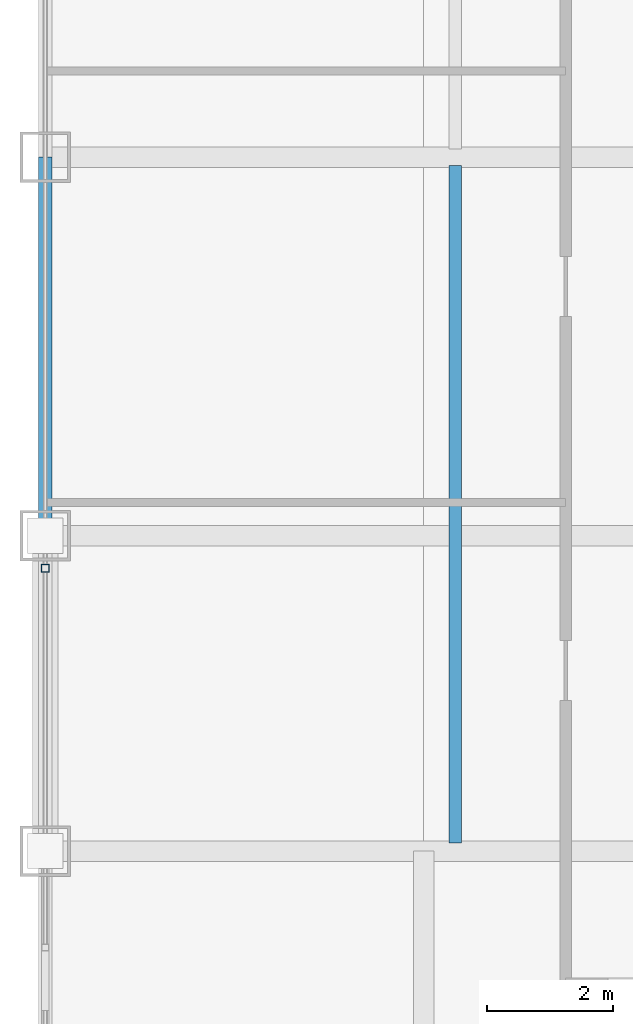
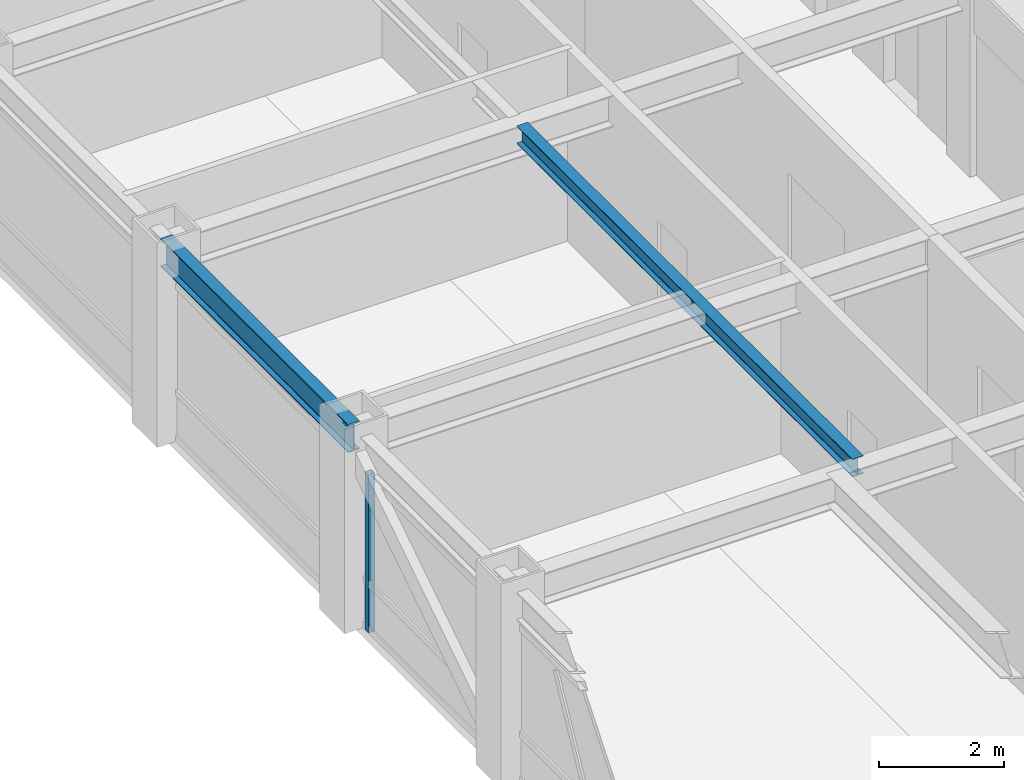
# One storey, part 7 of 29: 2 beams, 1 member, 1 element without a shape of its own.
"""IFC4 building model written with IfcOpenShell, lengths in metres."""

from ifc_helpers import new_model, si_unit, direction, frame, origin, origin_2d, place, context, subcontext, project, spatial, hollow_rectangle, i_section, extrude, source, transform, mapped, material, material_profile, profile_set, type_object, element, aggregate, save


model = new_model("IFC4")

# Units and contexts
model_context = context("Model", 3, precision=1e-05, world=origin(), true_north=direction((0.0, 1.0)))
body_context = subcontext(model_context, "Body", "Model", "MODEL_VIEW")
ifc_project = project(units=[si_unit("LENGTHUNIT", "METRE"), si_unit("AREAUNIT", "SQUARE_METRE"), si_unit("VOLUMEUNIT", "CUBIC_METRE"), si_unit("PLANEANGLEUNIT", "RADIAN"), si_unit("MASSUNIT", "GRAM", prefix="KILO")], contexts=[model_context])

# Site, building, storey
site_placement = place(None, origin())
site = spatial("IfcSite", under=ifc_project, at=site_placement, CompositionType="ELEMENT")
building_placement = place(site_placement, origin())
building = spatial("IfcBuilding", under=site, at=building_placement, Name="Khorayat Bourse Tower", CompositionType="ELEMENT")
storey_placement = place(building_placement, frame((0.0, 0.0, 350.300048828125)))
storey = spatial("IfcBuildingStorey", under=building, at=storey_placement, Name="L83", CompositionType="ELEMENT", Elevation=350.300048828125)

# Beams
ifc_material_1 = material(Name="Steel ASTM A992 Grade 50", Category="steel")
ifc_material_profile_1 = material_profile(ifc_material_1, i_section(OverallWidth=0.202880859375, OverallDepth=0.346923828125, WebThickness=0.0078125, FlangeThickness=0.013427734375, FilletRadius=0.010009765625, at=origin_2d()), Name="W360X64")
ifc_profile_set_1 = profile_set([ifc_material_profile_1], Name="Steel ASTM A992 Grade 50")
beam_type_1 = type_object("IfcBeamType", Name="BM-JOIST-360", PredefinedType="JOIST", material=ifc_profile_set_1)
shared_shape_1 = source(origin(), body_context, "Body", "SweptSolid", [
    extrude(i_section(OverallWidth=0.202880859375, OverallDepth=0.346923828125, WebThickness=0.0078125, FlangeThickness=0.013427734375, FilletRadius=0.010009765625, at=origin_2d()), origin(), (0.0, 0.0, 1.0), 10.740234375),
])
beam_1_placement = place(storey_placement, frame((-19.5, -10.8701171875, 3.56640625), z_axis=(0.0, 1.0, 0.0), x_axis=(-1.0, 0.0, 0.0)))
element("IfcBeam", 1, at=beam_1_placement, inside=storey, type_object=beam_type_1, Name="L83 BM-JOIST-360 BM-L83-JSTY-079", PredefinedType="JOIST", context=body_context, shape_type="MappedRepresentation", body=[
    mapped(shared_shape_1, transform((0.0, 0.0, 0.0), scale=1.0)),
])
ifc_material_profile_2 = material_profile(ifc_material_1, i_section(OverallWidth=0.214111328125, OverallDepth=0.549072265625, WebThickness=0.0146484375, FlangeThickness=0.023681640625, FilletRadius=0.013916015625, at=origin_2d()), Name="W530X138")
ifc_profile_set_2 = profile_set([ifc_material_profile_2], Name="Steel ASTM A992 Grade 50")
beam_type_2 = type_object("IfcBeamType", Name="BM-SPAN-530", PredefinedType="SPANDREL", material=ifc_profile_set_2)
shared_shape_2 = source(origin(), body_context, "Body", "SweptSolid", [
    extrude(i_section(OverallWidth=0.214111328125, OverallDepth=0.549072265625, WebThickness=0.0146484375, FlangeThickness=0.023681640625, FilletRadius=0.013916015625, at=origin_2d()), origin(), (0.0, 0.0, 1.0), 6.0),
])
beam_2_placement = place(storey_placement, frame((-26.0, -6.0, 3.46533203125), z_axis=(0.0, 1.0, 0.0), x_axis=(-1.0, 0.0, 0.0)))
element("IfcBeam", 2, at=beam_2_placement, inside=storey, type_object=beam_type_2, Name="L83 BM-SPAN-530 BM-L83-SPN-048", PredefinedType="SPANDREL", context=body_context, shape_type="MappedRepresentation", body=[
    mapped(shared_shape_2, transform((0.0, 0.0, 0.0), scale=1.0)),
])

# Curtain wall, member
ifc_material_2 = material(Name="Aluminium EN AW-6063 T6", Category="aluminium")
curtain_wall_type = type_object("IfcCurtainWallType", Name="CW-SYS-06", PredefinedType="NOTDEFINED", material=ifc_material_2)
curtain_wall_placement = place(storey_placement, origin())
curtain_wall = element("IfcCurtainWall", 3, at=curtain_wall_placement, inside=storey, type_object=curtain_wall_type, Name="L83 Curtain Wall CW-L83-W1", PredefinedType="NOTDEFINED")
ifc_material_profile_3 = material_profile(ifc_material_2, hollow_rectangle(XDim=0.1201171875, YDim=0.1201171875, WallThickness=0.0048828125, at=origin_2d()), Name="ALU 120x120x5")
ifc_profile_set_3 = profile_set([ifc_material_profile_3], Name="Aluminium EN AW-6063 T6")
member_type = type_object("IfcMemberType", Name="CWM-VERT-120", PredefinedType="MULLION", material=ifc_profile_set_3)
shared_shape_3 = source(origin(), body_context, "Body", "SweptSolid", [
    extrude(hollow_rectangle(XDim=0.1201171875, YDim=0.1201171875, WallThickness=0.0048828125, at=origin_2d()), origin(), (0.0, 0.0, 1.0), 3.08984375),
])
member_placement = place(storey_placement, frame((-26.0, -6.5166015625, 0.0), z_axis=(0.0, 0.0, 1.0), x_axis=(1.0, 0.0, 0.0)))
member = element("IfcMember", 4, at=member_placement, type_object=member_type, Name="CW-L83-W1 Vertical Mullion 3", PredefinedType="MULLION", context=body_context, shape_type="MappedRepresentation", body=[
    mapped(shared_shape_3, transform((0.0, 0.0, 0.0), scale=1.0)),
])
aggregate(curtain_wall, [member])

save(model, "model.ifc")
